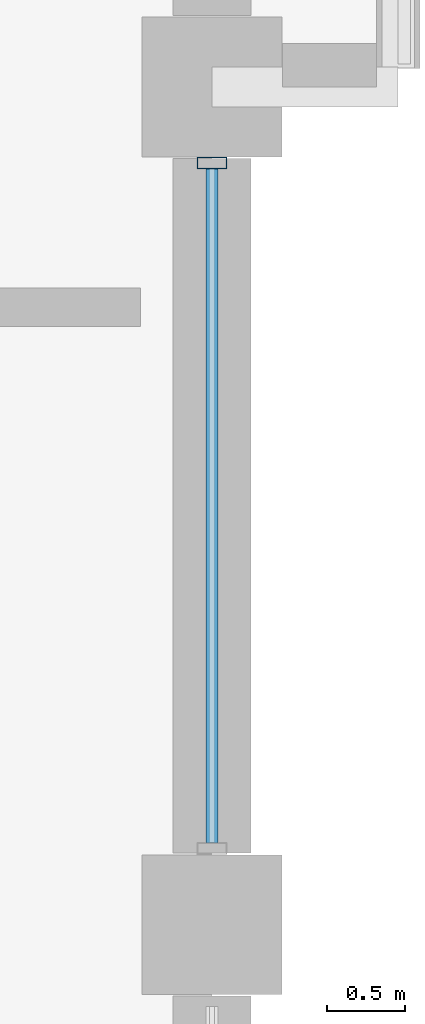
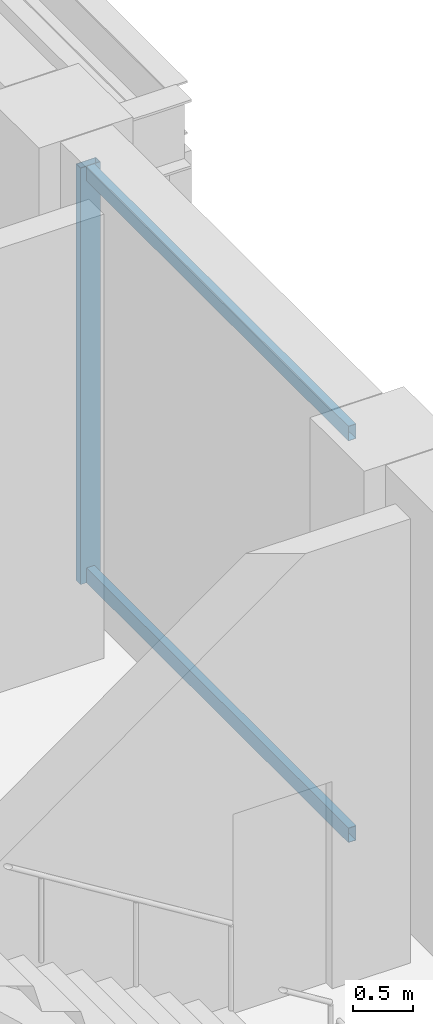
# One storey, part 6 of 18: 3 members, 1 element without a shape of its own.
"""IFC4 building model written with IfcOpenShell, lengths in metres."""

from ifc_helpers import new_model, si_unit, direction, frame, origin, origin_2d, place, context, subcontext, project, spatial, hollow_rectangle, extrude, material, layer, layer_set, material_profile, profile_set, type_object, element, aggregate, save


model = new_model("IFC4")

# Units and contexts
model_context = context("Model", 3, precision=1e-05, world=origin(), true_north=direction((0.0, 1.0)))
body_context = subcontext(model_context, "Body", "Model", "MODEL_VIEW")
ifc_project = project(units=[si_unit("LENGTHUNIT", "METRE"), si_unit("AREAUNIT", "SQUARE_METRE"), si_unit("VOLUMEUNIT", "CUBIC_METRE"), si_unit("PLANEANGLEUNIT", "RADIAN"), si_unit("MASSUNIT", "GRAM", prefix="KILO")], contexts=[model_context])

# Site, building, storey
site_placement = place(None, origin())
site = spatial("IfcSite", under=ifc_project, at=site_placement, CompositionType="ELEMENT")
building_placement = place(site_placement, origin())
building = spatial("IfcBuilding", under=site, at=building_placement, Name="Surkhivell Harbour Commons", CompositionType="ELEMENT")
storey_placement = place(building_placement, frame((0.0, 0.0, 355.5)))
storey = spatial("IfcBuildingStorey", under=building, at=storey_placement, Name="L92", CompositionType="ELEMENT", Elevation=355.5)

# Curtain wall, members
ifc_material_1 = material(Name="Anodised pale-metal aluminium and insulated glazing", Category="aluminium")
ifc_layer = layer(ifc_material_1, 0.22998046875)
ifc_layer_set = layer_set([ifc_layer], Name="Anodised pale-metal aluminium and insulated glazing")
curtain_wall_type = type_object("IfcCurtainWallType", Name="CW-SYS-CRN", PredefinedType="NOTDEFINED", material=ifc_layer_set)
curtain_wall_placement = place(storey_placement, origin())
curtain_wall = element("IfcCurtainWall", 1, at=curtain_wall_placement, inside=storey, type_object=curtain_wall_type, Name="L92 Curtain Wall CW-L92-C01S1", PredefinedType="NOTDEFINED")
ifc_material_2 = material(Name="Anodised pale-metal aluminium alloy 6063-T6", Category="aluminium")
ifc_material_profile_1 = material_profile(ifc_material_2, hollow_rectangle(XDim=0.074951171875, YDim=0.18994140625, WallThickness=0.00390625, at=origin_2d()), Name="ALU-MULL-75x190")
ifc_profile_set_1 = profile_set([ifc_material_profile_1], Name="Anodised pale-metal aluminium alloy 6063-T6")
member_type_1 = type_object("IfcMemberType", Name="CWM-190", PredefinedType="MULLION", material=ifc_profile_set_1)
member_1_placement = place(storey_placement, frame((10.800048828125, -0.489501953125, 0.0), z_axis=(0.0, 0.0, 1.0), x_axis=(0.0, 1.0, 0.0)))
member_1 = element("IfcMember", 2, at=member_1_placement, type_object=member_type_1, Name="CW-CRN mullion 3", PredefinedType="MULLION", context=body_context, shape_type="SweptSolid", body=[
    extrude(hollow_rectangle(XDim=0.074951171875, YDim=0.18994140625, WallThickness=0.00390625, at=origin_2d()), origin(), (0.0, 0.0, 1.0), 4.219970703125),
])
ifc_material_profile_2 = material_profile(ifc_material_2, hollow_rectangle(XDim=0.074951171875, YDim=0.14990234375, WallThickness=0.00341796875, at=origin_2d()), Name="ALU-TRAN-75x150")
ifc_profile_set_2 = profile_set([ifc_material_profile_2], Name="Anodised pale-metal aluminium alloy 6063-T6")
member_type_2 = type_object("IfcMemberType", Name="CWT-150", PredefinedType="USERDEFINED", material=ifc_profile_set_2)
member_2_placement = place(storey_placement, frame((10.800048828125, -4.873046875, 0.074951171875), z_axis=(0.0, 1.0, 0.0), x_axis=(-1.0, 0.0, 0.0)))
member_2 = element("IfcMember", 3, at=member_2_placement, type_object=member_type_2, Name="CW-CRN transom 2.1", ObjectType="TRANSOM", PredefinedType="USERDEFINED", context=body_context, shape_type="SweptSolid", body=[
    extrude(hollow_rectangle(XDim=0.074951171875, YDim=0.14990234375, WallThickness=0.00341796875, at=origin_2d()), origin(), (0.0, 0.0, 1.0), 4.345947265625),
])
member_3_placement = place(storey_placement, frame((10.800048828125, -4.873046875, 4.14501953125), z_axis=(0.0, 1.0, 0.0), x_axis=(-1.0, 0.0, 0.0)))
member_3 = element("IfcMember", 4, at=member_3_placement, type_object=member_type_2, Name="CW-CRN transom 2.2", ObjectType="TRANSOM", PredefinedType="USERDEFINED", context=body_context, shape_type="SweptSolid", body=[
    extrude(hollow_rectangle(XDim=0.074951171875, YDim=0.14990234375, WallThickness=0.00341796875, at=origin_2d()), origin(), (0.0, 0.0, 1.0), 4.345947265625),
])
aggregate(curtain_wall, [member_1, member_2, member_3])

save(model, "model.ifc")
